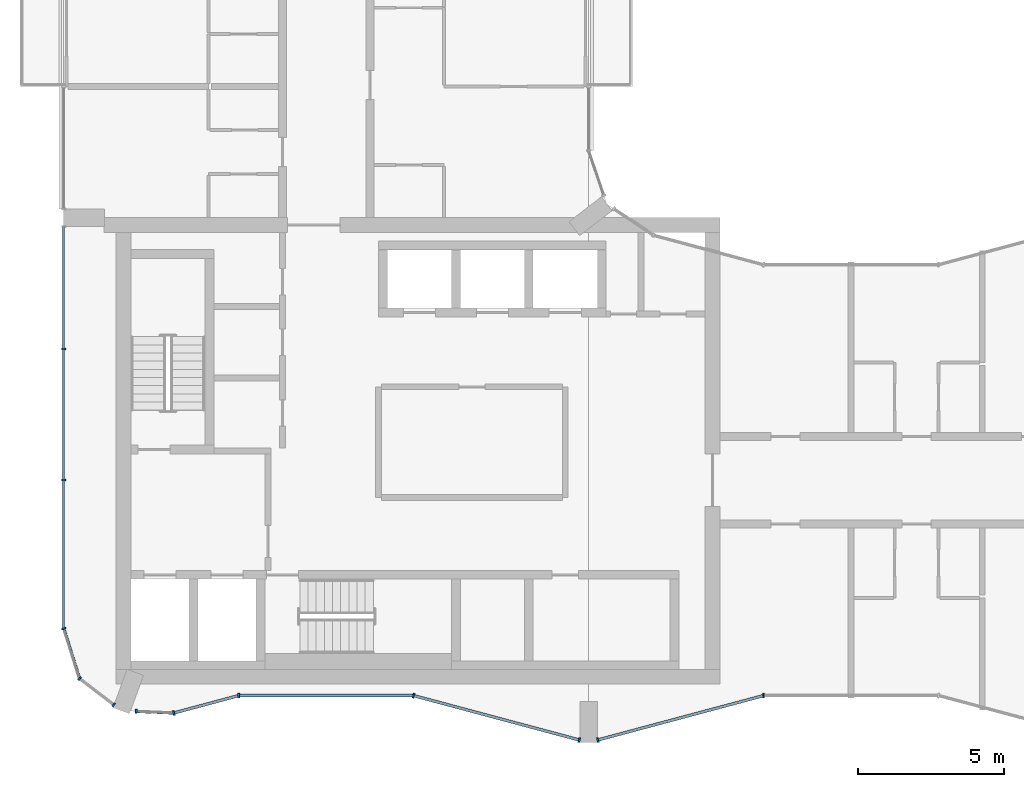
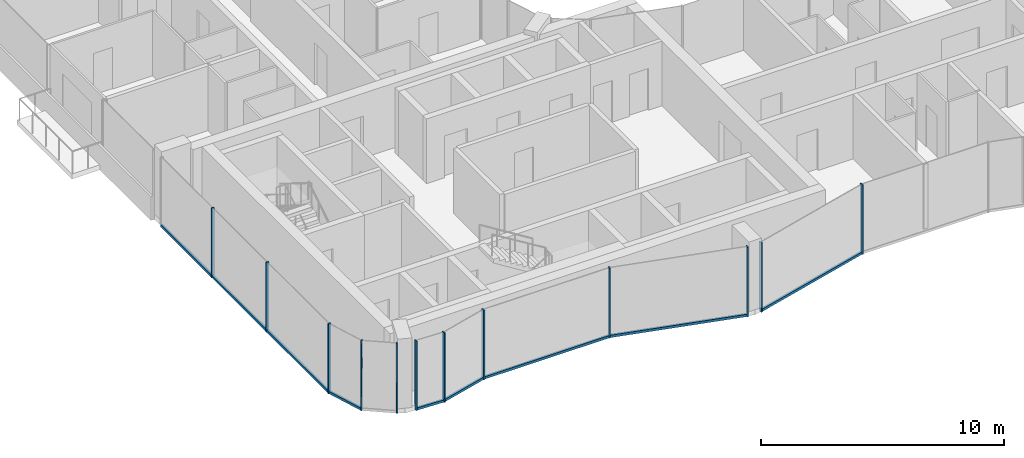
# One storey, part 2 of 17: 19 members, 9 elements without a shape of their own.
"""IFC4 building model written with IfcOpenShell, lengths in metres."""

from ifc_helpers import new_model, si_unit, direction, frame, origin, origin_2d, place, context, subcontext, project, spatial, rectangle, extrude, material, layer, layer_set, material_profile, profile_set, type_object, element, aggregate, save


model = new_model("IFC4")

# Units and contexts
model_context = context("Model", 3, precision=1e-05, world=origin(), true_north=direction((0.0, 1.0)))
body_context = subcontext(model_context, "Body", "Model", "MODEL_VIEW")
ifc_project = project(units=[si_unit("LENGTHUNIT", "METRE"), si_unit("AREAUNIT", "SQUARE_METRE"), si_unit("VOLUMEUNIT", "CUBIC_METRE"), si_unit("PLANEANGLEUNIT", "RADIAN"), si_unit("MASSUNIT", "GRAM", prefix="KILO")], contexts=[model_context])

# Site, building, storey
site_placement = place(None, origin())
site = spatial("IfcSite", under=ifc_project, at=site_placement, CompositionType="ELEMENT")
building_placement = place(site_placement, origin())
building = spatial("IfcBuilding", under=site, at=building_placement, Name="Plateau Cross Towers", CompositionType="ELEMENT")
storey_placement = place(building_placement, frame((0.0, 0.0, 222.39990234375)))
storey = spatial("IfcBuildingStorey", under=building, at=storey_placement, Name="L58", CompositionType="ELEMENT", Elevation=222.39990234375)

# Curtain wall, members
ifc_material_1 = material(Name="Dark low-iron glass", Category="glass")
ifc_layer_1 = layer(ifc_material_1, 0.239990234375)
ifc_layer_set_1 = layer_set([ifc_layer_1], Name="Dark low-iron glass")
curtain_wall_type_1 = type_object("IfcCurtainWallType", Name="Curtain wall flush unitised CW-B", PredefinedType="NOTDEFINED", material=ifc_layer_set_1)
curtain_wall_1_placement = place(storey_placement, origin())
curtain_wall_1 = element("IfcCurtainWall", 1, at=curtain_wall_1_placement, inside=storey, type_object=curtain_wall_type_1, Name="ENV/A/L58/A0_177", PredefinedType="NOTDEFINED")
ifc_material_2 = material(Name="Black anodised aluminium", Category="aluminium")
ifc_material_profile_1 = material_profile(ifc_material_2, rectangle(XDim=0.06005859375, YDim=0.139892578125, at=origin_2d()), Name="MULLION 60x140")
ifc_profile_set_1 = profile_set([ifc_material_profile_1], Name="Black anodised aluminium")
member_type_1 = type_object("IfcMemberType", Name="Mullion 60x140 flush unitised", PredefinedType="MULLION", material=ifc_profile_set_1)
member_1_placement = place(storey_placement, frame((0.0, 13.5, -0.25), z_axis=(0.0, 0.0, 1.0), x_axis=(0.0, -1.0, 0.0)))
member_1 = element("IfcMember", 2, at=member_1_placement, type_object=member_type_1, Name="CW-B mullion 2", PredefinedType="MULLION", context=body_context, shape_type="SweptSolid", body=[
    extrude(rectangle(XDim=0.06005859375, YDim=0.139892578125, at=origin_2d()), origin(), (0.0, 0.0, 1.0), 3.5),
])
member_2_placement = place(storey_placement, frame((0.0, 9.0, -0.25), z_axis=(0.0, 0.0, 1.0), x_axis=(0.0, -1.0, 0.0)))
member_2 = element("IfcMember", 3, at=member_2_placement, type_object=member_type_1, Name="CW-B mullion 3", PredefinedType="MULLION", context=body_context, shape_type="SweptSolid", body=[
    extrude(rectangle(XDim=0.06005859375, YDim=0.139892578125, at=origin_2d()), origin(), (0.0, 0.0, 1.0), 3.5),
])

# Curtain wall, member
curtain_wall_2_placement = place(storey_placement, origin())
curtain_wall_2 = element("IfcCurtainWall", 4, at=curtain_wall_2_placement, inside=storey, type_object=curtain_wall_type_1, Name="ENV/A/L58/A0_39", PredefinedType="NOTDEFINED")
member_3_placement = place(storey_placement, frame((0.0, 3.9091796875, -0.25), z_axis=(0.0, 0.0, 1.0), x_axis=(0.300686174994, -0.95372313811, 0.0)))
member_3 = element("IfcMember", 5, at=member_3_placement, type_object=member_type_1, Name="CW-B mullion 1", PredefinedType="MULLION", context=body_context, shape_type="SweptSolid", body=[
    extrude(rectangle(XDim=0.06005859375, YDim=0.139892578125, at=origin_2d()), origin(), (0.0, 0.0, 1.0), 3.5),
])

# Curtain wall, members
curtain_wall_3_placement = place(storey_placement, origin())
curtain_wall_3 = element("IfcCurtainWall", 6, at=curtain_wall_3_placement, inside=storey, type_object=curtain_wall_type_1, Name="ENV/A/L58/A5_22", PredefinedType="NOTDEFINED")
member_4_placement = place(storey_placement, frame((0.54248046875, 2.1884765625, -0.25), z_axis=(0.0, 0.0, 1.0), x_axis=(0.793315514529, -0.608810721331, 0.0)))
member_4 = element("IfcMember", 7, at=member_4_placement, type_object=member_type_1, Name="CW-B mullion 1", PredefinedType="MULLION", context=body_context, shape_type="SweptSolid", body=[
    extrude(rectangle(XDim=0.06005859375, YDim=0.139892578125, at=origin_2d()), origin(), (0.0, 0.0, 1.0), 3.5),
])
member_5_placement = place(storey_placement, frame((1.709716796875, 1.292724609375, -0.25), z_axis=(0.0, 0.0, 1.0), x_axis=(0.793315514529, -0.608810721331, 0.0)))
member_5 = element("IfcMember", 8, at=member_5_placement, type_object=member_type_1, Name="CW-B mullion 2", PredefinedType="MULLION", context=body_context, shape_type="SweptSolid", body=[
    extrude(rectangle(XDim=0.06005859375, YDim=0.139892578125, at=origin_2d()), origin(), (0.0, 0.0, 1.0), 3.5),
])
aggregate(curtain_wall_3, [member_4, member_5])

# Curtain wall, member
curtain_wall_4_placement = place(storey_placement, origin())
curtain_wall_4 = element("IfcCurtainWall", 9, at=curtain_wall_4_placement, inside=storey, type_object=curtain_wall_type_1, Name="ENV/A/L58/A25_11", PredefinedType="NOTDEFINED")
member_6_placement = place(storey_placement, frame((2.483642578125, 1.06787109375, -0.25), z_axis=(0.0, 0.0, 1.0), x_axis=(0.999043701491, -0.043722791671, 0.0)))
member_6 = element("IfcMember", 10, at=member_6_placement, type_object=member_type_1, Name="CW-B mullion 1", PredefinedType="MULLION", context=body_context, shape_type="SweptSolid", body=[
    extrude(rectangle(XDim=0.06005859375, YDim=0.139892578125, at=origin_2d()), origin(), (0.0, 0.0, 1.0), 3.5),
])

ifc_layer_2 = layer(ifc_material_1, 0.260009765625)
ifc_layer_set_2 = layer_set([ifc_layer_2], Name="Dark low-iron glass")
curtain_wall_type_2 = type_object("IfcCurtainWallType", Name="Curtain wall fluted unitised CW-A", PredefinedType="NOTDEFINED", material=ifc_layer_set_2)
curtain_wall_5_placement = place(storey_placement, origin())
curtain_wall_5 = element("IfcCurtainWall", 11, at=curtain_wall_5_placement, inside=storey, type_object=curtain_wall_type_2, Name="ENV/A/L58/A38_10", PredefinedType="NOTDEFINED")
ifc_material_profile_2 = material_profile(ifc_material_2, rectangle(XDim=0.06005859375, YDim=0.159912109375, at=origin_2d()), Name="MULLION 60x160")
ifc_profile_set_2 = profile_set([ifc_material_profile_2], Name="Black anodised aluminium")
member_type_2 = type_object("IfcMemberType", Name="Mullion 60x160 fluted unitised", PredefinedType="MULLION", material=ifc_profile_set_2)
member_7_placement = place(storey_placement, frame((3.776123046875, 1.01123046875, -0.25), z_axis=(0.0, 0.0, 1.0), x_axis=(0.965957962328, 0.258699081978, 0.0)))
member_7 = element("IfcMember", 12, at=member_7_placement, type_object=member_type_2, Name="CW-A mullion 1", PredefinedType="MULLION", context=body_context, shape_type="SweptSolid", body=[
    extrude(rectangle(XDim=0.06005859375, YDim=0.159912109375, at=origin_2d()), origin(), (0.0, 0.0, 1.0), 3.5),
])

curtain_wall_6_placement = place(storey_placement, origin())
curtain_wall_6 = element("IfcCurtainWall", 13, at=curtain_wall_6_placement, inside=storey, type_object=curtain_wall_type_2, Name="ENV/A/L58/A60_16", PredefinedType="NOTDEFINED")
member_8_placement = place(storey_placement, frame((6.0, 1.60693359375, -0.25), z_axis=(0.0, 0.0, 1.0), x_axis=(1.0, 0.0, 0.0)))
member_8 = element("IfcMember", 14, at=member_8_placement, type_object=member_type_2, Name="CW-A mullion 1", PredefinedType="MULLION", context=body_context, shape_type="SweptSolid", body=[
    extrude(rectangle(XDim=0.06005859375, YDim=0.159912109375, at=origin_2d()), origin(), (0.0, 0.0, 1.0), 3.5),
])

# Curtain wall, members
curtain_wall_7_placement = place(storey_placement, origin())
curtain_wall_7 = element("IfcCurtainWall", 15, at=curtain_wall_7_placement, inside=storey, type_object=curtain_wall_type_2, Name="ENV/A/L58/A120_16", PredefinedType="NOTDEFINED")
member_9_placement = place(storey_placement, frame((12.0, 1.60693359375, -0.25), z_axis=(0.0, 0.0, 1.0), x_axis=(0.965957983404, -0.258699003279, 0.0)))
member_9 = element("IfcMember", 16, at=member_9_placement, type_object=member_type_2, Name="CW-A mullion 1", PredefinedType="MULLION", context=body_context, shape_type="SweptSolid", body=[
    extrude(rectangle(XDim=0.06005859375, YDim=0.159912109375, at=origin_2d()), origin(), (0.0, 0.0, 1.0), 3.5),
])
member_10_placement = place(storey_placement, frame((17.68212890625, 0.085205078125, -0.25), z_axis=(0.0, 0.0, 1.0), x_axis=(0.965957983404, -0.258699003279, 0.0)))
member_10 = element("IfcMember", 17, at=member_10_placement, type_object=member_type_2, Name="CW-A mullion 2", PredefinedType="MULLION", context=body_context, shape_type="SweptSolid", body=[
    extrude(rectangle(XDim=0.06005859375, YDim=0.159912109375, at=origin_2d()), origin(), (0.0, 0.0, 1.0), 3.5),
])

# Curtain wall, member
curtain_wall_8_placement = place(storey_placement, origin())
curtain_wall_8 = element("IfcCurtainWall", 18, at=curtain_wall_8_placement, inside=storey, type_object=curtain_wall_type_2, Name="ENV/A/L58/A183_1", PredefinedType="NOTDEFINED")
member_11_placement = place(storey_placement, frame((18.31787109375, 0.085205078125, -0.25), z_axis=(0.0, 0.0, 1.0), x_axis=(0.965957983404, 0.258699003279, 0.0)))
member_11 = element("IfcMember", 19, at=member_11_placement, type_object=member_type_2, Name="CW-A mullion 1", PredefinedType="MULLION", context=body_context, shape_type="SweptSolid", body=[
    extrude(rectangle(XDim=0.06005859375, YDim=0.159912109375, at=origin_2d()), origin(), (0.0, 0.0, 1.0), 3.5),
])

curtain_wall_9_placement = place(storey_placement, origin())
curtain_wall_9 = element("IfcCurtainWall", 20, at=curtain_wall_9_placement, inside=storey, type_object=curtain_wall_type_2, Name="ENV/A/L58/A240_16", PredefinedType="NOTDEFINED")
member_12_placement = place(storey_placement, frame((24.0, 1.60693359375, -0.25), z_axis=(0.0, 0.0, 1.0), x_axis=(1.0, 0.0, 0.0)))
member_12 = element("IfcMember", 21, at=member_12_placement, type_object=member_type_2, Name="CW-A mullion 1", PredefinedType="MULLION", context=body_context, shape_type="SweptSolid", body=[
    extrude(rectangle(XDim=0.06005859375, YDim=0.159912109375, at=origin_2d()), origin(), (0.0, 0.0, 1.0), 3.5),
])
aggregate(curtain_wall_9, [member_12])

# Member
ifc_material_profile_3 = material_profile(ifc_material_2, rectangle(XDim=0.10009765625, YDim=0.1201171875, at=origin_2d()), Name="TRANSOM 100x120")
ifc_profile_set_3 = profile_set([ifc_material_profile_3], Name="Black anodised aluminium")
member_type_3 = type_object("IfcMemberType", Name="Transom 100x120 flush unitised", PredefinedType="USERDEFINED", material=ifc_profile_set_3)
member_13_placement = place(storey_placement, frame((0.0, 17.699951171875, -0.18994140625), z_axis=(0.0, -1.0, 0.0), x_axis=(1.0, 0.0, 0.0)))
member_13 = element("IfcMember", 22, at=member_13_placement, type_object=member_type_3, Name="CW-B transom", ObjectType="TRANSOM", PredefinedType="USERDEFINED", context=body_context, shape_type="SweptSolid", body=[
    extrude(rectangle(XDim=0.10009765625, YDim=0.1201171875, at=origin_2d()), origin(), (0.0, 0.0, 1.0), 13.790771484375),
])

aggregate(curtain_wall_1, [member_1, member_2, member_13])

member_14_placement = place(storey_placement, frame((0.0, 3.9091796875, -0.18994140625), z_axis=(0.30067799945, -0.953725715626, 0.0), x_axis=(0.953725715626, 0.30067799945, 0.0)))
member_14 = element("IfcMember", 23, at=member_14_placement, type_object=member_type_3, Name="CW-B transom", ObjectType="TRANSOM", PredefinedType="USERDEFINED", context=body_context, shape_type="SweptSolid", body=[
    extrude(rectangle(XDim=0.10009765625, YDim=0.1201171875, at=origin_2d()), origin(), (0.0, 0.0, 1.0), 1.80419921875),
])

aggregate(curtain_wall_2, [member_3, member_14])

member_15_placement = place(storey_placement, frame((2.483642578125, 1.06787109375, -0.18994140625), z_axis=(0.999041144614, -0.043781175963, 0.0), x_axis=(0.043781175963, 0.999041144614, 0.0)))
member_15 = element("IfcMember", 24, at=member_15_placement, type_object=member_type_3, Name="CW-B transom", ObjectType="TRANSOM", PredefinedType="USERDEFINED", context=body_context, shape_type="SweptSolid", body=[
    extrude(rectangle(XDim=0.10009765625, YDim=0.1201171875, at=origin_2d()), origin(), (0.0, 0.0, 1.0), 1.293701171875),
])

aggregate(curtain_wall_4, [member_6, member_15])

ifc_material_profile_4 = material_profile(ifc_material_2, rectangle(XDim=0.10009765625, YDim=0.1201171875, at=origin_2d()), Name="TRANSOM 100x120")
ifc_profile_set_4 = profile_set([ifc_material_profile_4], Name="Black anodised aluminium")
member_type_4 = type_object("IfcMemberType", Name="Transom 100x120 fluted unitised", PredefinedType="USERDEFINED", material=ifc_profile_set_4)
member_16_placement = place(storey_placement, frame((3.776123046875, 1.01123046875, -0.18994140625), z_axis=(0.965945685136, 0.258744919501, 0.0), x_axis=(-0.258744919501, 0.965945685136, 0.0)))
member_16 = element("IfcMember", 25, at=member_16_placement, type_object=member_type_4, Name="CW-A transom", ObjectType="TRANSOM", PredefinedType="USERDEFINED", context=body_context, shape_type="SweptSolid", body=[
    extrude(rectangle(XDim=0.10009765625, YDim=0.1201171875, at=origin_2d()), origin(), (0.0, 0.0, 1.0), 2.30224609375),
])

aggregate(curtain_wall_5, [member_7, member_16])

member_17_placement = place(storey_placement, frame((6.0, 1.60693359375, -0.18994140625), z_axis=(1.0, 0.0, 0.0), x_axis=(0.0, 1.0, 0.0)))
member_17 = element("IfcMember", 26, at=member_17_placement, type_object=member_type_4, Name="CW-A transom", ObjectType="TRANSOM", PredefinedType="USERDEFINED", context=body_context, shape_type="SweptSolid", body=[
    extrude(rectangle(XDim=0.10009765625, YDim=0.1201171875, at=origin_2d()), origin(), (0.0, 0.0, 1.0), 6.0),
])

aggregate(curtain_wall_6, [member_8, member_17])

member_18_placement = place(storey_placement, frame((12.0, 1.60693359375, -0.18994140625), z_axis=(0.965959534794, -0.258693210465, 0.0), x_axis=(0.258693210465, 0.965959534794, 0.0)))
member_18 = element("IfcMember", 27, at=member_18_placement, type_object=member_type_4, Name="CW-A transom", ObjectType="TRANSOM", PredefinedType="USERDEFINED", context=body_context, shape_type="SweptSolid", body=[
    extrude(rectangle(XDim=0.10009765625, YDim=0.1201171875, at=origin_2d()), origin(), (0.0, 0.0, 1.0), 5.88232421875),
])

aggregate(curtain_wall_7, [member_9, member_10, member_18])

member_19_placement = place(storey_placement, frame((18.31787109375, 0.085205078125, -0.18994140625), z_axis=(0.965959534794, 0.258693210465, 0.0), x_axis=(-0.258693210465, 0.965959534794, 0.0)))
member_19 = element("IfcMember", 28, at=member_19_placement, type_object=member_type_4, Name="CW-A transom", ObjectType="TRANSOM", PredefinedType="USERDEFINED", context=body_context, shape_type="SweptSolid", body=[
    extrude(rectangle(XDim=0.10009765625, YDim=0.1201171875, at=origin_2d()), origin(), (0.0, 0.0, 1.0), 5.88232421875),
])

aggregate(curtain_wall_8, [member_11, member_19])

save(model, "model.ifc")
